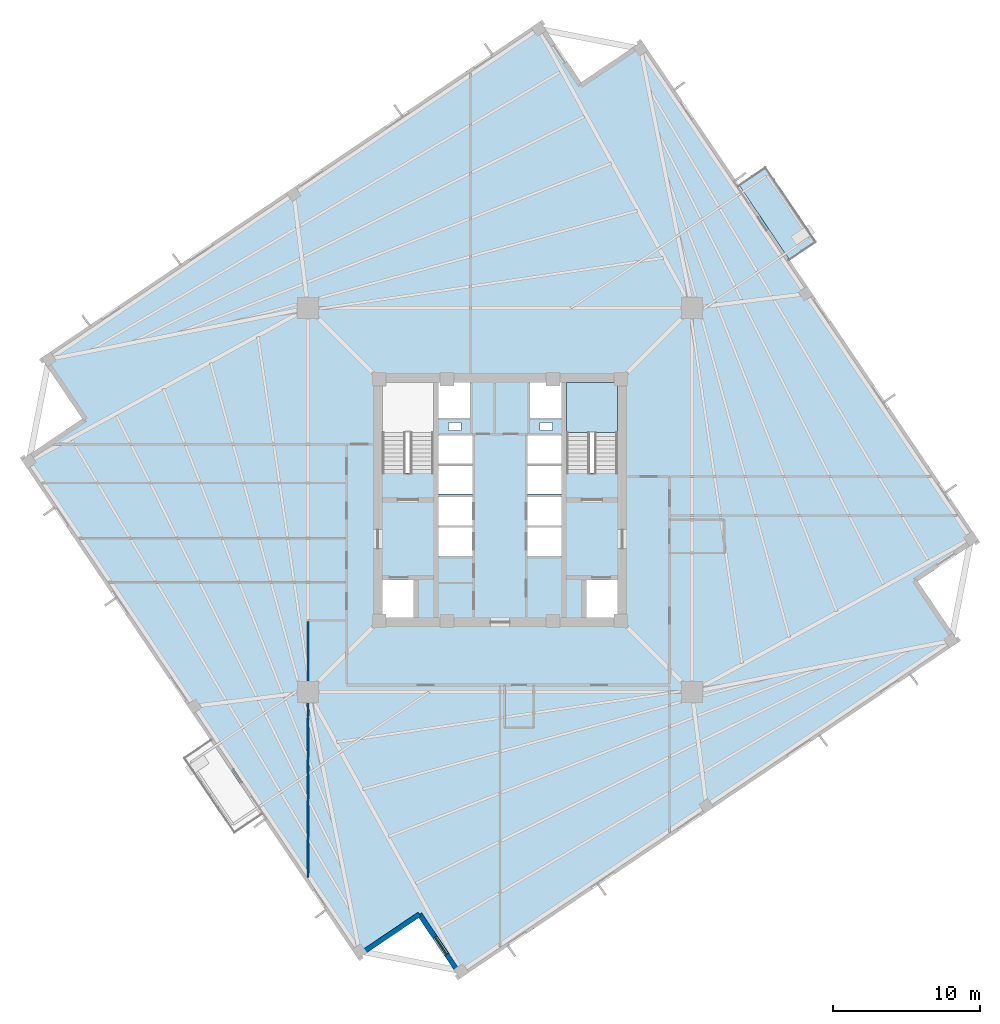
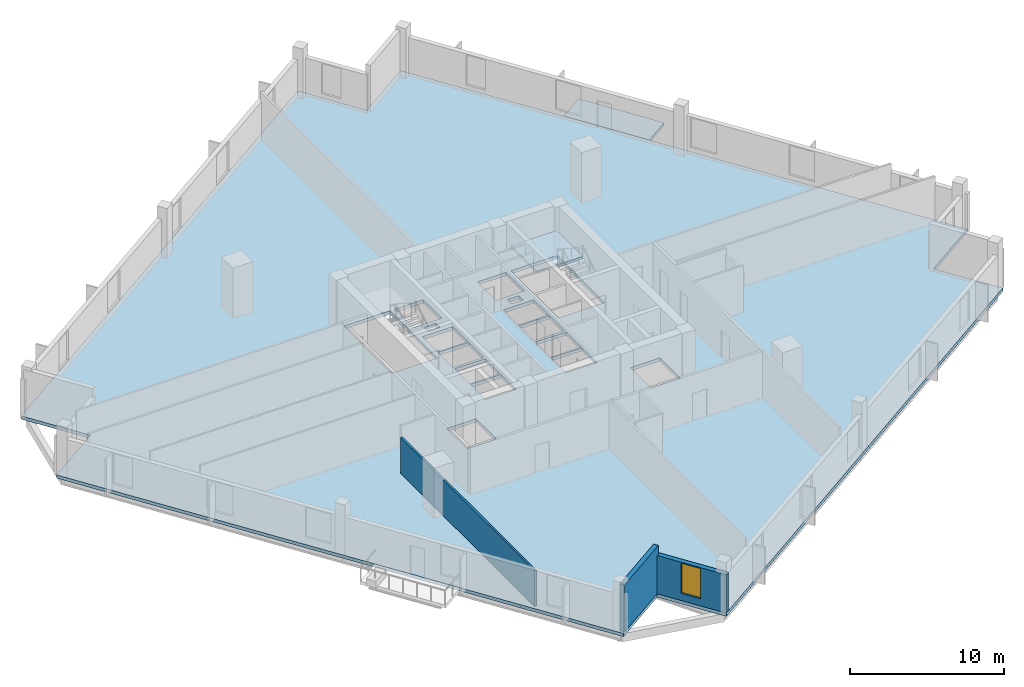
# One storey, part 2 of 9: 3 slabs, 3 walls, 1 window, 1 opening, 1 element without a shape of its own.
"""IFC4 building model written with IfcOpenShell, lengths in metres."""

from ifc_helpers import new_model, si_unit, direction, frame, frame_2d, origin, place, context, subcontext, project, spatial, polyline, rectangle, outline, extrude, source, transform, mapped, material, layer, layer_set, type_object, element, fill, aggregate, save


model = new_model("IFC4")

# Units and contexts
model_context = context("Model", 3, precision=1e-05, world=origin(), true_north=direction((0.0, 1.0)))
body_context = subcontext(model_context, "Body", "Model", "MODEL_VIEW")
ifc_project = project(units=[si_unit("LENGTHUNIT", "METRE"), si_unit("AREAUNIT", "SQUARE_METRE"), si_unit("VOLUMEUNIT", "CUBIC_METRE"), si_unit("PLANEANGLEUNIT", "RADIAN"), si_unit("MASSUNIT", "GRAM", prefix="KILO"), si_unit("THERMODYNAMICTEMPERATUREUNIT", "KELVIN")], contexts=[model_context])

# Site, building, storey
site_placement = place(None, origin())
site = spatial("IfcSite", under=ifc_project, at=site_placement, CompositionType="ELEMENT")
building_placement = place(site_placement, origin())
building = spatial("IfcBuilding", under=site, at=building_placement, Name="Kosmvard Interchange Tower", CompositionType="ELEMENT")
storey_placement = place(building_placement, frame((0.0, 0.0, 180.39990234375)))
storey = spatial("IfcBuildingStorey", under=building, at=storey_placement, Name="L43", CompositionType="ELEMENT", Elevation=180.39990234375)

# Slab
ifc_material_1 = material(Name="Concrete C50/60", Category="concrete")
ifc_layer_1 = layer(ifc_material_1, 0.260009765625, Name="Concrete C50/60")
ifc_layer_set_1 = layer_set([ifc_layer_1], Name="Concrete C50/60")
slab_type_1 = type_object("IfcSlabType", Name="Mid-Rise Office Composite Slab 260 C50/60", PredefinedType="FLOOR", material=ifc_layer_set_1)
slab_1_placement = place(storey_placement, frame((0.0, 0.0, -0.260009765625)))
element("IfcSlab", 1, at=slab_1_placement, inside=storey, type_object=slab_type_1, Name="L43 Structural Floor Slab", PredefinedType="FLOOR", context=body_context, shape_type="SweptSolid", body=[
    extrude(outline(polyline([(-2.73583984375, -32.60400390625), (31.254638671875, -9.677001953125), (28.458740234375, -5.53173828125), (32.60400390625, -2.73583984375), (9.677001953125, 31.254638671875), (5.53173828125, 28.458740234375), (2.73583984375, 32.60400390625), (-31.254638671875, 9.677001953125), (-28.458740234375, 5.53173828125), (-32.60400390625, 2.73583984375), (-9.677001953125, -31.254638671875), (-5.53173828125, -28.458740234375), (-2.73583984375, -32.60400390625)]), holes=[polyline([(-8.0, 1.8349609375), (-4.5400390625, 1.8349609375), (-4.5400390625, 8.0), (-8.0, 8.0), (-8.0, 1.8349609375)]), polyline([(4.5400390625, 1.8349609375), (8.0, 1.8349609375), (8.0, 8.0), (4.5400390625, 8.0), (4.5400390625, 1.8349609375)]), polyline([(-8.0, -8.0), (-5.800048828125, -8.0), (-5.800048828125, -5.39990234375), (-8.0, -5.39990234375), (-8.0, -8.0)]), polyline([(5.800048828125, -8.0), (8.0, -8.0), (8.0, -5.39990234375), (5.800048828125, -5.39990234375), (5.800048828125, -8.0)]), polyline([(-4.179931640625, -3.800048828125), (-1.8798828125, -3.800048828125), (-1.8798828125, -1.860107421875), (-4.179931640625, -1.860107421875), (-4.179931640625, -3.800048828125)]), polyline([(-4.179931640625, -1.739990234375), (-1.8798828125, -1.739990234375), (-1.8798828125, 0.199951171875), (-4.179931640625, 0.199951171875), (-4.179931640625, -1.739990234375)]), polyline([(1.8798828125, -3.800048828125), (4.179931640625, -3.800048828125), (4.179931640625, -1.860107421875), (1.8798828125, -1.860107421875), (1.8798828125, -3.800048828125)]), polyline([(1.8798828125, -1.739990234375), (4.179931640625, -1.739990234375), (4.179931640625, 0.199951171875), (1.8798828125, 0.199951171875), (1.8798828125, -1.739990234375)]), polyline([(-4.179931640625, 0.39990234375), (-1.8798828125, 0.39990234375), (-1.8798828125, 2.340087890625), (-4.179931640625, 2.340087890625), (-4.179931640625, 0.39990234375)]), polyline([(-4.179931640625, 2.4599609375), (-1.8798828125, 2.4599609375), (-1.8798828125, 4.39990234375), (-4.179931640625, 4.39990234375), (-4.179931640625, 2.4599609375)]), polyline([(1.8798828125, 0.39990234375), (4.179931640625, 0.39990234375), (4.179931640625, 2.340087890625), (1.8798828125, 2.340087890625), (1.8798828125, 0.39990234375)]), polyline([(1.8798828125, 2.4599609375), (4.179931640625, 2.4599609375), (4.179931640625, 4.39990234375), (1.8798828125, 4.39990234375), (1.8798828125, 2.4599609375)]), polyline([(-4.179931640625, 5.60009765625), (-2.0400390625, 5.60009765625), (-2.0400390625, 8.0), (-4.179931640625, 8.0), (-4.179931640625, 5.60009765625)]), polyline([(2.0400390625, 5.60009765625), (4.179931640625, 5.60009765625), (4.179931640625, 8.0), (2.0400390625, 8.0), (2.0400390625, 5.60009765625)]), polyline([(-3.514892578125, 4.739990234375), (-2.6650390625, 4.739990234375), (-2.6650390625, 5.2900390625), (-3.514892578125, 5.2900390625), (-3.514892578125, 4.739990234375)]), polyline([(2.715087890625, 4.739990234375), (3.56494140625, 4.739990234375), (3.56494140625, 5.2900390625), (2.715087890625, 5.2900390625), (2.715087890625, 4.739990234375)])]), origin(), (0.0, 0.0, 1.0), 0.260009765625),
])

# Stair, slab
stair_type = type_object("IfcStairType", Name="Dog-Leg Core Exit Stair H4000 C50/60", PredefinedType="HALF_TURN_STAIR", material=ifc_material_1)
stair_placement = place(storey_placement, origin())
stair = element("IfcStair", 2, at=stair_placement, inside=storey, type_object=stair_type, Name="L43 Protected Exit Stair ST-2", PredefinedType="HALF_TURN_STAIR")
ifc_layer_2 = layer(ifc_material_1, 0.199951171875, Name="Concrete C50/60")
ifc_layer_set_2 = layer_set([ifc_layer_2], Name="Concrete C50/60")
slab_type_2 = type_object("IfcSlabType", Name="Stair Half-Landing Slab 200 C50/60", PredefinedType="LANDING", material=ifc_layer_set_2)
slab_2_placement = place(storey_placement, frame((0.0, 0.0, 1.800048828125)))
slab_2 = element("IfcSlab", 3, at=slab_2_placement, type_object=slab_type_2, Name="ST-2 landing 1", PredefinedType="LANDING", context=body_context, shape_type="SweptSolid", body=[
    extrude(outline(polyline([(8.0, 4.60009765625), (8.0, 8.0), (4.5400390625, 8.0), (4.5400390625, 4.60009765625), (8.0, 4.60009765625)])), origin(), (0.0, 0.0, 1.0), 0.199951171875),
])
aggregate(stair, [slab_2])

# Slab
ifc_layer_3 = layer(ifc_material_1, 0.22998046875, Name="Concrete C50/60")
ifc_layer_set_3 = layer_set([ifc_layer_3], Name="Concrete C50/60")
slab_type_3 = type_object("IfcSlabType", Name="Tree-Planter Cantilever Balcony Slab 230 C50/60", PredefinedType="FLOOR", material=ifc_layer_set_3)
slab_3_placement = place(storey_placement, frame((0.0, 0.0, -0.22998046875)))
element("IfcSlab", 4, at=slab_3_placement, inside=storey, type_object=slab_type_3, Name="L43 Outdoor Terrace Balcony Slab BAL-L43-E", PredefinedType="FLOOR", context=body_context, shape_type="SweptSolid", body=[
    extrude(outline(polyline([(19.742431640625, 16.33203125), (21.56640625, 17.562255859375), (18.099365234375, 22.702392578125), (16.275390625, 21.47216796875), (19.742431640625, 16.33203125)])), origin(), (0.0, 0.0, 1.0), 0.22998046875),
])

# Walls
ifc_material_2 = material(Name="Acoustic gypsum partition system")
ifc_layer_4 = layer(ifc_material_2, 0.14990234375, Name="Acoustic gypsum partition system")
ifc_layer_set_4 = layer_set([ifc_layer_4], Name="Acoustic gypsum partition system")
wall_type_1 = type_object("IfcWallType", Name="Acoustic Suite & Meeting Partition 150", PredefinedType="PARTITIONING", material=ifc_layer_set_4)
wall_1_placement = place(storey_placement, frame((-13.0810546875, -8.27490234375, 0.0), z_axis=(0.0, 0.0, 1.0), x_axis=(0.0, -1.0, 0.0)))
element("IfcWall", 5, at=wall_1_placement, inside=storey, type_object=wall_type_1, Name="L43 Room Partition 07.1", PredefinedType="PARTITIONING", context=body_context, shape_type="SweptSolid", body=[
    extrude(rectangle(XDim=17.44140625, YDim=0.14990234375, at=frame_2d((8.720703125, 0.0))), origin(), (0.0, 0.0, 1.0), 2.840087890625),
])
ifc_material_3 = material(Name="Precast concrete C45/55", Category="concrete")
ifc_layer_5 = layer(ifc_material_3, 0.340087890625, Name="Precast concrete C45/55")
ifc_layer_set_5 = layer_set([ifc_layer_5], Name="Precast concrete C45/55")
wall_type_2 = type_object("IfcWallType", Name="Mid Tower Precast Pier Wall 340 C45/55", PredefinedType="STANDARD", material=ifc_layer_set_5)
wall_2_placement = place(storey_placement, frame((-9.631103515625, -31.018798828125, 0.0), z_axis=(0.0, 0.0, 1.0), x_axis=(0.829025804298, 0.559210350234, 0.0)))
element("IfcWall", 6, at=wall_2_placement, inside=storey, type_object=wall_type_2, Name="L43 Precast Facade Wall N-SW1", PredefinedType="STANDARD", context=body_context, shape_type="SweptSolid", body=[
    extrude(rectangle(XDim=5.000244140625, YDim=0.340087890625, at=frame_2d((2.5, 0.0))), origin(), (0.0, 0.0, 1.0), 3.739990234375),
])

# Wall, opening, window
wall_3_placement = place(storey_placement, frame((-5.48583984375, -28.22265625, 0.0), z_axis=(0.0, 0.0, 1.0), x_axis=(0.559171107879, -0.82905227345, 0.0)))
wall_3 = element("IfcWall", 7, at=wall_3_placement, inside=storey, type_object=wall_type_2, Name="L43 Precast Facade Wall N-SW2", PredefinedType="STANDARD", context=body_context, shape_type="SweptSolid", body=[
    extrude(rectangle(XDim=5.169921875, YDim=0.340087890625, at=frame_2d((2.5849609375, 0.0))), origin(), (0.0, 0.0, 1.0), 3.0400390625),
])
opening_placement = place(wall_3_placement, frame((1.885009765625, 0.0, 0.56005859375)))
opening = element("IfcOpeningElement", 8, at=opening_placement, cuts=wall_3, Name="Opening L43-W23", PredefinedType="OPENING", context=body_context, shape_type="SweptSolid", body=[
    extrude(rectangle(XDim=1.39990234375, YDim=2.39990234375, at=frame_2d((0.699951171875, 1.199951171875))), frame((0.0, 0.18017578125, 0.0), z_axis=(0.0, -1.0, 0.0), x_axis=(1.0, 0.0, 0.0)), (0.0, 0.0, 1.0), 0.360107421875),
])
ifc_material_4 = material(Name="Low-E solar-control double glazing", Category="glass")
window_type = type_object("IfcWindowType", Name="Notched Corner Feature Window 1400x2400", PartitioningType="SINGLE_PANEL", PredefinedType="WINDOW", material=ifc_material_4)
shared_shape = source(origin(), body_context, "Body", "SweptSolid", [
    extrude(rectangle(XDim=1.39990234375, YDim=2.39990234375, at=frame_2d((0.699951171875, 1.199951171875))), frame((0.0, 0.030029296875, 0.0), z_axis=(0.0, -1.0, 0.0), x_axis=(1.0, 0.0, 0.0)), (0.0, 0.0, 1.0), 0.06005859375),
])
window_placement = place(opening_placement, origin())
window = element("IfcWindow", 9, at=window_placement, inside=storey, type_object=window_type, Name="L43 Corner Notch Window 23", OverallHeight=2.39990234375, OverallWidth=1.39990234375, PartitioningType="SINGLE_PANEL", PredefinedType="WINDOW", context=body_context, shape_type="MappedRepresentation", body=[
    mapped(shared_shape, transform((0.0, 0.0, 0.0), scale=1.0)),
])
fill(opening, window)

save(model, "model.ifc")
